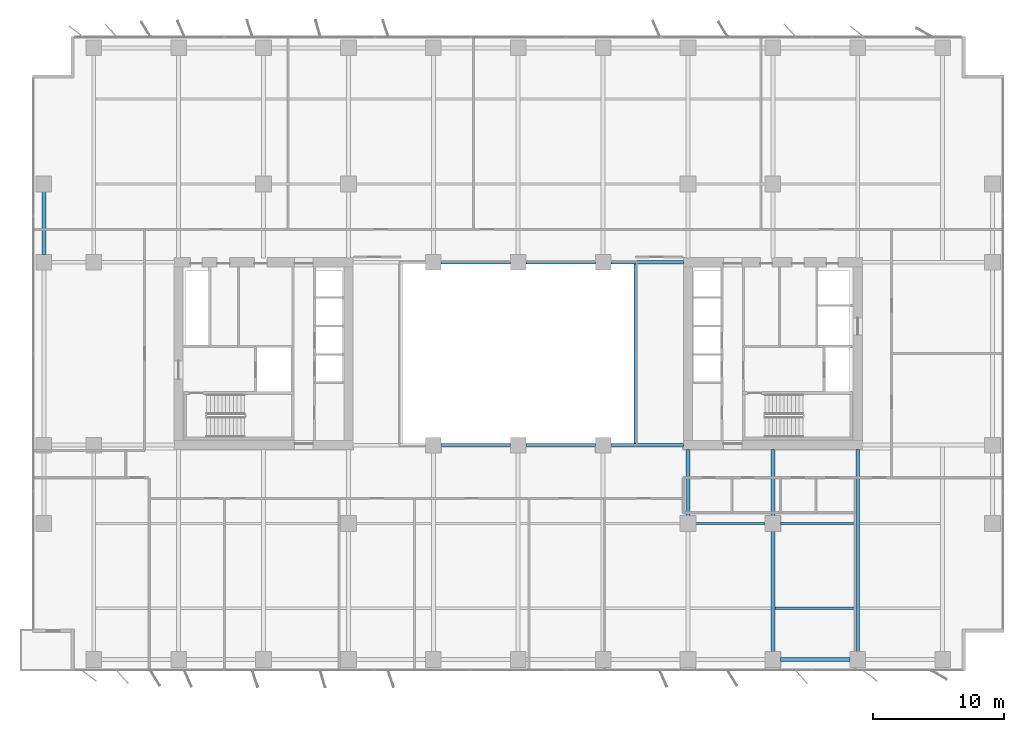
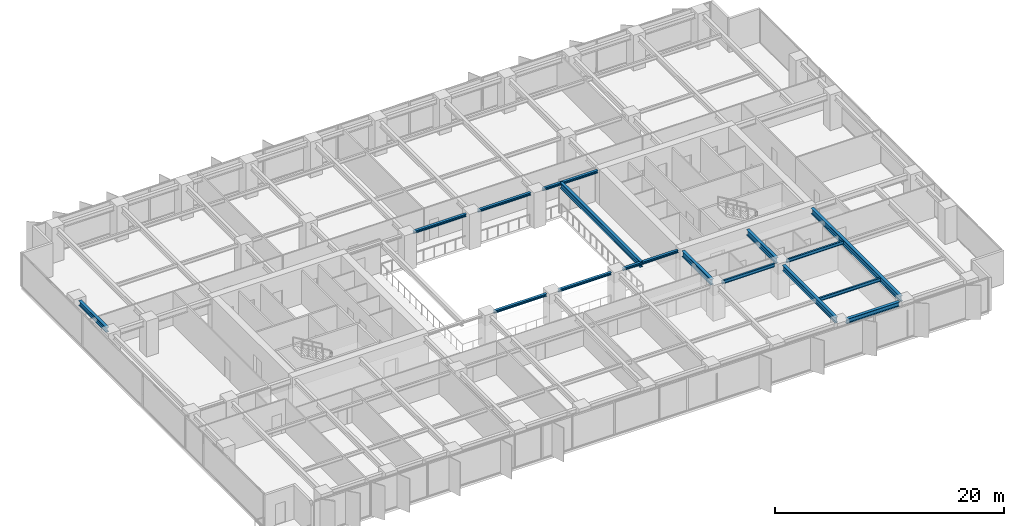
# One storey, part 6 of 20: 16 beams.
"""IFC4 building model written with IfcOpenShell, lengths in metres."""

from ifc_helpers import new_model, si_unit, direction, frame, origin, origin_2d, place, context, subcontext, project, spatial, i_section, extrude, material, material_profile, profile_set, type_object, element, save


model = new_model("IFC4")

# Units and contexts
model_context = context("Model", 3, precision=1e-05, world=origin(), true_north=direction((0.0, 1.0)))
body_context = subcontext(model_context, "Body", "Model", "MODEL_VIEW")
ifc_project = project(units=[si_unit("LENGTHUNIT", "METRE"), si_unit("AREAUNIT", "SQUARE_METRE"), si_unit("VOLUMEUNIT", "CUBIC_METRE"), si_unit("PLANEANGLEUNIT", "RADIAN"), si_unit("MASSUNIT", "GRAM", prefix="KILO")], contexts=[model_context])

# Site, building, storey
site_placement = place(None, origin())
site = spatial("IfcSite", under=ifc_project, at=site_placement, CompositionType="ELEMENT")
building_placement = place(site_placement, origin())
building = spatial("IfcBuilding", under=site, at=building_placement, Name="Putna Gate Headquarters", CompositionType="ELEMENT")
storey_placement = place(building_placement, frame((0.0, 0.0, 97.39990234375)))
storey = spatial("IfcBuildingStorey", under=building, at=storey_placement, Name="L23", CompositionType="ELEMENT", Elevation=97.39990234375)

# Beams
ifc_material = material(Name="Steel S355J2", Category="steel")
ifc_material_profile_1 = material_profile(ifc_material, i_section(OverallWidth=0.260009765625, OverallDepth=0.260009765625, WebThickness=0.010009765625, FlangeThickness=0.017578125, at=origin_2d()), Name="Steel S355J2")
ifc_profile_set_1 = profile_set([ifc_material_profile_1], Name="Steel S355J2")
beam_type_1 = type_object("IfcBeamType", Name="BM-ATRIUM-HEB260", PredefinedType="BEAM", material=ifc_profile_set_1)
for number, where, z_axis, x_axis, name in (
    (1, (33.087890625, 19.0, 3.43505859375), (1.0, 0.0, 0.0), (0.0, 1.0, 0.0), "L23 Atrium Edge Beam AS2"),
    (2, (39.587890625, 19.0, 3.43505859375), (1.0, 0.0, 0.0), (0.0, 1.0, 0.0), "L23 Atrium Edge Beam AS3"),
):
    element("IfcBeam", number, at=place(storey_placement, frame(where, z_axis=z_axis, x_axis=x_axis)), inside=storey, type_object=beam_type_1, Name=name, PredefinedType="BEAM", context=body_context, shape_type="SweptSolid", body=[
        extrude(i_section(OverallWidth=0.260009765625, OverallDepth=0.260009765625, WebThickness=0.010009765625, FlangeThickness=0.017578125, at=origin_2d()), origin(), (0.0, 0.0, 1.0), 5.32421875),
    ])
beam_1_placement = place(storey_placement, frame((46.087890625, 19.0, 3.43505859375), z_axis=(1.0, 0.0, 0.0), x_axis=(0.0, 1.0, 0.0)))
element("IfcBeam", 3, at=beam_1_placement, inside=storey, type_object=beam_type_1, Name="L23 Atrium Edge Beam AS4", PredefinedType="BEAM", context=body_context, shape_type="SweptSolid", body=[
    extrude(i_section(OverallWidth=0.260009765625, OverallDepth=0.260009765625, WebThickness=0.010009765625, FlangeThickness=0.017578125, at=origin_2d()), origin(), (0.0, 0.0, 1.0), 5.5771484375),
])
for number, where, z_axis, x_axis, name in (
    (4, (33.087890625, 33.0, 3.43505859375), (1.0, 0.0, 0.0), (0.0, 1.0, 0.0), "L23 Atrium Edge Beam AN2"),
    (5, (39.587890625, 33.0, 3.43505859375), (1.0, 0.0, 0.0), (0.0, 1.0, 0.0), "L23 Atrium Edge Beam AN3"),
):
    element("IfcBeam", number, at=place(storey_placement, frame(where, z_axis=z_axis, x_axis=x_axis)), inside=storey, type_object=beam_type_1, Name=name, PredefinedType="BEAM", context=body_context, shape_type="SweptSolid", body=[
        extrude(i_section(OverallWidth=0.260009765625, OverallDepth=0.260009765625, WebThickness=0.010009765625, FlangeThickness=0.017578125, at=origin_2d()), origin(), (0.0, 0.0, 1.0), 5.32421875),
    ])
beam_2_placement = place(storey_placement, frame((46.087890625, 33.0, 3.43505859375), z_axis=(1.0, 0.0, 0.0), x_axis=(0.0, 1.0, 0.0)))
element("IfcBeam", 6, at=beam_2_placement, inside=storey, type_object=beam_type_1, Name="L23 Atrium Edge Beam AN4", PredefinedType="BEAM", context=body_context, shape_type="SweptSolid", body=[
    extrude(i_section(OverallWidth=0.260009765625, OverallDepth=0.260009765625, WebThickness=0.010009765625, FlangeThickness=0.017578125, at=origin_2d()), origin(), (0.0, 0.0, 1.0), 5.5771484375),
])
ifc_material_profile_2 = material_profile(ifc_material, i_section(OverallWidth=0.300048828125, OverallDepth=0.60009765625, WebThickness=0.015380859375, FlangeThickness=0.030029296875, at=origin_2d()), Name="Steel S355J2")
ifc_profile_set_2 = profile_set([ifc_material_profile_2], Name="Steel S355J2")
beam_type_2 = type_object("IfcBeamType", Name="BM-GIRD-Z2-HEB600", PredefinedType="USERDEFINED", material=ifc_profile_set_2)
beam_3_placement = place(storey_placement, frame((52.0, 13.587890625, 3.26513671875), z_axis=(0.0, 1.0, 0.0), x_axis=(-1.0, 0.0, 0.0)))
element("IfcBeam", 7, at=beam_3_placement, inside=storey, type_object=beam_type_2, Name="L23 South Primary Girder X52-2", ObjectType="GIRDER", PredefinedType="USERDEFINED", context=body_context, shape_type="SweptSolid", body=[
    extrude(i_section(OverallWidth=0.300048828125, OverallDepth=0.60009765625, WebThickness=0.015380859375, FlangeThickness=0.030029296875, at=origin_2d()), origin(), (0.0, 0.0, 1.0), 5.0771484375),
])
beam_4_placement = place(storey_placement, frame((58.5, 3.16796875, 3.26513671875), z_axis=(0.0, 1.0, 0.0), x_axis=(-1.0, 0.0, 0.0)))
element("IfcBeam", 8, at=beam_4_placement, inside=storey, type_object=beam_type_2, Name="L23 South Primary Girder X58-1", ObjectType="GIRDER", PredefinedType="USERDEFINED", context=body_context, shape_type="SweptSolid", body=[
    extrude(i_section(OverallWidth=0.300048828125, OverallDepth=0.60009765625, WebThickness=0.015380859375, FlangeThickness=0.030029296875, at=origin_2d()), origin(), (0.0, 0.0, 1.0), 9.244140625),
])
beam_5_placement = place(storey_placement, frame((58.5, 13.587890625, 3.26513671875), z_axis=(0.0, 1.0, 0.0), x_axis=(-1.0, 0.0, 0.0)))
element("IfcBeam", 9, at=beam_5_placement, inside=storey, type_object=beam_type_2, Name="L23 South Primary Girder X58-2", ObjectType="GIRDER", PredefinedType="USERDEFINED", context=body_context, shape_type="SweptSolid", body=[
    extrude(i_section(OverallWidth=0.300048828125, OverallDepth=0.60009765625, WebThickness=0.015380859375, FlangeThickness=0.030029296875, at=origin_2d()), origin(), (0.0, 0.0, 1.0), 5.0771484375),
])
beam_6_placement = place(storey_placement, frame((65.0, 3.16796875, 3.26513671875), z_axis=(0.0, 1.0, 0.0), x_axis=(-1.0, 0.0, 0.0)))
element("IfcBeam", 10, at=beam_6_placement, inside=storey, type_object=beam_type_2, Name="L23 South Primary Girder X65", ObjectType="GIRDER", PredefinedType="USERDEFINED", context=body_context, shape_type="SweptSolid", body=[
    extrude(i_section(OverallWidth=0.300048828125, OverallDepth=0.60009765625, WebThickness=0.015380859375, FlangeThickness=0.030029296875, at=origin_2d()), origin(), (0.0, 0.0, 1.0), 15.4970703125),
])
beam_7_placement = place(storey_placement, frame((48.0, 19.010009765625, 3.26513671875), z_axis=(0.0, 1.0, 0.0), x_axis=(-1.0, 0.0, 0.0)))
element("IfcBeam", 11, at=beam_7_placement, inside=storey, type_object=beam_type_2, Name="L23 Atrium Trim Girder AE", ObjectType="GIRDER", PredefinedType="USERDEFINED", context=body_context, shape_type="SweptSolid", body=[
    extrude(i_section(OverallWidth=0.300048828125, OverallDepth=0.60009765625, WebThickness=0.015380859375, FlangeThickness=0.030029296875, at=origin_2d()), origin(), (0.0, 0.0, 1.0), 13.97998046875),
])
ifc_material_profile_3 = material_profile(ifc_material, i_section(OverallWidth=0.169921875, OverallDepth=0.360107421875, WebThickness=0.008056640625, FlangeThickness=0.0126953125, at=origin_2d()), Name="Steel S355J2")
ifc_profile_set_3 = profile_set([ifc_material_profile_3], Name="Steel S355J2")
beam_type_3 = type_object("IfcBeamType", Name="BM-SEC-Z2-IPE360", PredefinedType="BEAM", material=ifc_profile_set_3)
beam_8_placement = place(storey_placement, frame((52.587890625, 13.0, 3.385009765625), z_axis=(1.0, 0.0, 0.0), x_axis=(0.0, 1.0, 0.0)))
element("IfcBeam", 12, at=beam_8_placement, inside=storey, type_object=beam_type_3, Name="L23 South Secondary Beam 8", PredefinedType="BEAM", context=body_context, shape_type="SweptSolid", body=[
    extrude(i_section(OverallWidth=0.169921875, OverallDepth=0.360107421875, WebThickness=0.008056640625, FlangeThickness=0.0126953125, at=origin_2d()), origin(), (0.0, 0.0, 1.0), 5.32421875),
])
beam_9_placement = place(storey_placement, frame((58.654052734375, 6.5, 3.385009765625), z_axis=(1.0, 0.0, 0.0), x_axis=(0.0, 1.0, 0.0)))
element("IfcBeam", 13, at=beam_9_placement, inside=storey, type_object=beam_type_3, Name="L23 South Secondary Beam 9", PredefinedType="BEAM", context=body_context, shape_type="SweptSolid", body=[
    extrude(i_section(OverallWidth=0.169921875, OverallDepth=0.360107421875, WebThickness=0.008056640625, FlangeThickness=0.0126953125, at=origin_2d()), origin(), (0.0, 0.0, 1.0), 6.19189453125),
])
beam_10_placement = place(storey_placement, frame((59.087890625, 13.0, 3.385009765625), z_axis=(1.0, 0.0, 0.0), x_axis=(0.0, 1.0, 0.0)))
element("IfcBeam", 14, at=beam_10_placement, inside=storey, type_object=beam_type_3, Name="L23 South Secondary Beam 9", PredefinedType="BEAM", context=body_context, shape_type="SweptSolid", body=[
    extrude(i_section(OverallWidth=0.169921875, OverallDepth=0.360107421875, WebThickness=0.008056640625, FlangeThickness=0.0126953125, at=origin_2d()), origin(), (0.0, 0.0, 1.0), 5.758056640625),
])
ifc_material_profile_4 = material_profile(ifc_material, i_section(OverallWidth=0.300048828125, OverallDepth=0.489990234375, WebThickness=0.011962890625, FlangeThickness=0.02294921875, at=origin_2d()), Name="Steel S355J2")
ifc_profile_set_4 = profile_set([ifc_material_profile_4], Name="Steel S355J2")
beam_type_4 = type_object("IfcBeamType", Name="BM-SPAN-Z2-HEA500", PredefinedType="SPANDREL", material=ifc_profile_set_4)
beam_11_placement = place(storey_placement, frame((59.087890625, 2.580078125, 3.320068359375), z_axis=(1.0, 0.0, 0.0), x_axis=(0.0, 1.0, 0.0)))
element("IfcBeam", 15, at=beam_11_placement, inside=storey, type_object=beam_type_4, Name="L23 S Perimeter Spandrel 9", PredefinedType="SPANDREL", context=body_context, shape_type="SweptSolid", body=[
    extrude(i_section(OverallWidth=0.300048828125, OverallDepth=0.489990234375, WebThickness=0.011962890625, FlangeThickness=0.02294921875, at=origin_2d()), origin(), (0.0, 0.0, 1.0), 5.32421875),
])
beam_12_placement = place(storey_placement, frame((2.679931640625, 33.587890625, 3.320068359375), z_axis=(0.0, 1.0, 0.0), x_axis=(-1.0, 0.0, 0.0)))
element("IfcBeam", 16, at=beam_12_placement, inside=storey, type_object=beam_type_4, Name="L23 W End Spandrel 3", PredefinedType="SPANDREL", context=body_context, shape_type="SweptSolid", body=[
    extrude(i_section(OverallWidth=0.300048828125, OverallDepth=0.489990234375, WebThickness=0.011962890625, FlangeThickness=0.02294921875, at=origin_2d()), origin(), (0.0, 0.0, 1.0), 4.82421875),
])

save(model, "model.ifc")
